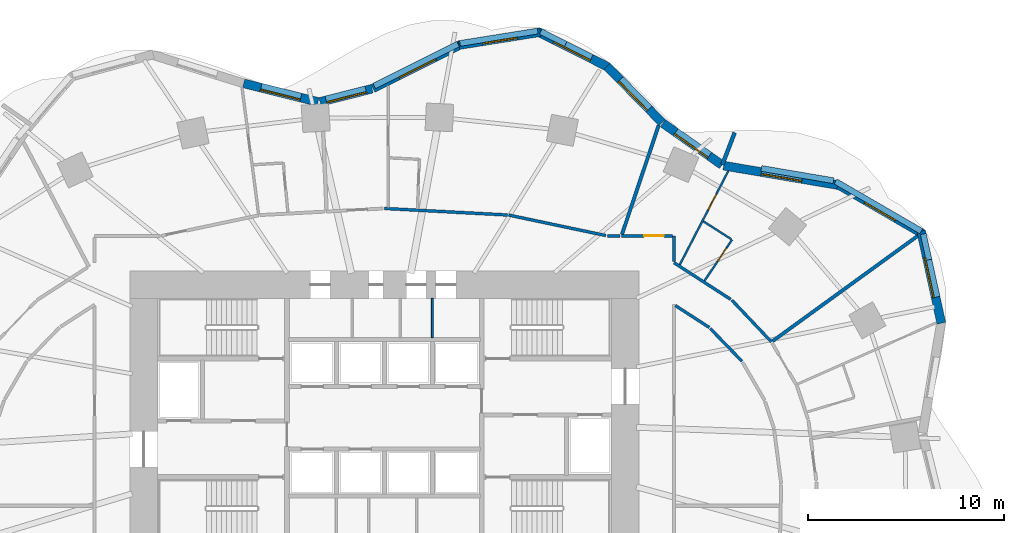
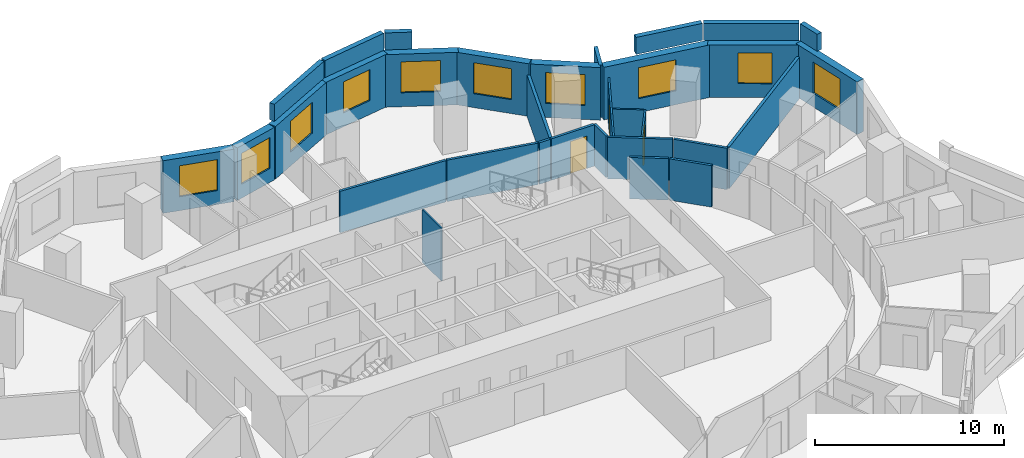
# One storey, part 9 of 11: 32 walls, 10 windows, 3 doors, 13 openings.
"""IFC4 building model written with IfcOpenShell, lengths in metres."""

import ifcopenshell
import ifcopenshell.guid

model = None  # the IFC model being written
_history = None  # IfcOwnerHistory: only IFC2X3 demands one
_inside = {}  # id of a spatial element -> (the spatial element, [elements in it])
_under = {}  # id of a project, library or spatial element -> (it, [spatial elements below it])
_declared = {}  # id of a project -> (the project, [libraries it declares])
_typed = {}  # id of a type object -> (the type object, [elements of that type])
_made_of = {}  # id of a material, layer set ... -> (it, [elements and type objects made of it])


def new_model(schema):
    """Start an empty IFC model of exactly this schema.

    Asked for "IFC4X3", IfcOpenShell would pick the latest addendum, in which some entities
    have other attributes; the version numbers below select the first issue.
    IFC2X3 requires an IfcOwnerHistory on every rooted entity: one is made here for all.
    """
    global model, _history
    if schema == "IFC4X3":
        model = ifcopenshell.file(schema_version=(4, 3, 0, 0))
    else:
        model = ifcopenshell.file(schema=schema)
    _inside.clear()
    _under.clear()
    _declared.clear()
    _typed.clear()
    _made_of.clear()
    _history = None
    if model.schema == "IFC2X3":
        org = make("IfcOrganization", Name="unknown")
        user = make(
            "IfcPersonAndOrganization",
            ThePerson=make("IfcPerson", FamilyName="unknown"),
            TheOrganization=org,
        )
        app = make(
            "IfcApplication",
            ApplicationDeveloper=org,
            Version="unknown",
            ApplicationFullName="unknown",
            ApplicationIdentifier="unknown",
        )
        _history = make(
            "IfcOwnerHistory",
            OwningUser=user,
            OwningApplication=app,
            ChangeAction="ADDED",
            CreationDate=0,
        )
    return model


def make(cls, **values):
    """One entity of the class cls with the attributes given. An attribute that is None is left unset."""
    return model.create_entity(
        cls, **{name: value for name, value in values.items() if value is not None}
    )


def rooted(cls, **values):
    """An entity with a GlobalId (a new one), such as an element, a storey or a relation."""
    return make(cls, GlobalId=ifcopenshell.guid.new(), OwnerHistory=_history, **values)


def si_unit(unit_type, name, prefix=None):
    """IfcSIUnit, for example si_unit("LENGTHUNIT", "METRE", prefix="MILLI")."""
    return make("IfcSIUnit", UnitType=unit_type, Prefix=prefix, Name=name)


def assignment(units):
    """IfcUnitAssignment: the units of a project."""
    return None if units is None else make("IfcUnitAssignment", Units=units)


def point(xyz):
    """IfcCartesianPoint."""
    return None if xyz is None else make("IfcCartesianPoint", Coordinates=xyz)


def direction(xyz):
    """IfcDirection."""
    return None if xyz is None else make("IfcDirection", DirectionRatios=xyz)


def frame(location, z_axis=None, x_axis=None):
    """IfcAxis2Placement3D, a coordinate frame: its origin and axes. An axis left out is left unset."""
    return make(
        "IfcAxis2Placement3D",
        Location=point(location),
        Axis=direction(z_axis),
        RefDirection=direction(x_axis),
    )


def frame_2d(location, x_axis=None):
    """IfcAxis2Placement2D, a coordinate frame in the plane: its origin and x axis."""
    return make(
        "IfcAxis2Placement2D", Location=point(location), RefDirection=direction(x_axis)
    )


def origin():
    """The frame at (0, 0, 0) with its axes left unset."""
    return frame((0.0, 0.0, 0.0))


def place(relative_to, where):
    """IfcLocalPlacement: puts the frame where relative to a parent placement (None: the world)."""
    return make(
        "IfcLocalPlacement", PlacementRelTo=relative_to, RelativePlacement=where
    )


def context(
    kind, dimensions, precision=None, world=None, true_north=None, identifier=None
):
    """IfcGeometricRepresentationContext, for example the 3D "Model" context."""
    return make(
        "IfcGeometricRepresentationContext",
        ContextIdentifier=identifier,
        ContextType=kind,
        CoordinateSpaceDimension=dimensions,
        Precision=precision,
        WorldCoordinateSystem=world,
        TrueNorth=true_north,
    )


def subcontext(parent, identifier, kind, view, scale=None):
    """IfcGeometricRepresentationSubContext, for example "Body" below "Model"."""
    return make(
        "IfcGeometricRepresentationSubContext",
        ContextIdentifier=identifier,
        ContextType=kind,
        ParentContext=parent,
        TargetScale=scale,
        TargetView=view,
    )


def project(units=None, contexts=None):
    """IfcProject with its units and contexts."""
    return rooted(
        "IfcProject",
        Name="project",
        RepresentationContexts=contexts,
        UnitsInContext=assignment(units),
    )


def spatial(cls, under=None, at=None, **own):
    """A site, building, storey or space (cls), placed at a placement, below another one or the project."""
    s = rooted(cls, ObjectPlacement=at, **own)
    if under is not None:
        _under.setdefault(under.id(), (under, []))[1].append(s)
    return s


def profile(cls, at=None, kind="AREA", **sizes):
    """A parametric profile (cls). Its sizes go by their IFC names, for example OverallWidth=200.0."""
    return make(cls, ProfileType=kind, Position=at, **sizes)


def rectangle(**sizes):
    """IfcRectangleProfileDef."""
    return profile("IfcRectangleProfileDef", **sizes)


def extrude(swept, where, along, depth):
    """IfcExtrudedAreaSolid: the profile swept, set in the frame where, extruded along a direction by depth."""
    return make(
        "IfcExtrudedAreaSolid",
        SweptArea=swept,
        Position=where,
        ExtrudedDirection=direction(along),
        Depth=depth,
    )


def shape(context_of_items, identifier, shape_type, items):
    """IfcShapeRepresentation: the items that make up one representation, for example the "Body"."""
    return make(
        "IfcShapeRepresentation",
        ContextOfItems=context_of_items,
        RepresentationIdentifier=identifier,
        RepresentationType=shape_type,
        Items=items,
    )


def material(Name=None, Category=None):
    """IfcMaterial."""
    return make("IfcMaterial", Name=Name, Category=Category)


def layer(
    of_material, thickness, ventilated=None, Name=None, Category=None, Priority=None
):
    """IfcMaterialLayer: one layer of a wall or slab, of a material (None: an air gap)."""
    return make(
        "IfcMaterialLayer",
        Material=of_material,
        LayerThickness=thickness,
        IsVentilated=ventilated,
        Name=Name,
        Category=Category,
        Priority=Priority,
    )


def layer_set(layers, Name=None):
    """IfcMaterialLayerSet."""
    return make("IfcMaterialLayerSet", MaterialLayers=layers, LayerSetName=Name)


def made_of(thing, what):
    """Note that an element or type object is made of a material, layer set ...; save() writes the relation."""
    if what is not None:
        _made_of.setdefault(what.id(), (what, []))[1].append(thing)
    return thing


def type_object(cls, material=None, **own):
    """A type object (cls), such as IfcWallType, which elements share."""
    return made_of(rooted(cls, **own), material)


def element(
    cls,
    number,
    at=None,
    inside=None,
    cuts=None,
    type_object=None,
    material=None,
    context=None,
    identifier="Body",
    shape_type=None,
    held_by="IfcProductDefinitionShape",
    body=None,
    shapes=None,
    **own,
):
    """One element of the class cls, such as IfcWall. Its Tag is "e" and its number.

    at: its placement. inside: the storey or other place that contains it. cuts: it is an
    opening in that element (IfcRelVoidsElement). A single representation is given by context,
    identifier, shape_type and body (its items); several are given by shapes. held_by: the class
    of the entity that holds the representations. save() writes the other relations.
    """
    e = rooted(cls, Tag="e%d" % number, ObjectPlacement=at, **own)
    if body is not None:
        shapes = [shape(context, identifier, shape_type, body)]
    if shapes is not None:
        e.Representation = make(held_by, Representations=shapes)
    if inside is not None:
        _inside.setdefault(inside.id(), (inside, []))[1].append(e)
    if cuts is not None:
        rooted(
            "IfcRelVoidsElement", RelatingBuildingElement=cuts, RelatedOpeningElement=e
        )
    if type_object is not None:
        _typed.setdefault(type_object.id(), (type_object, []))[1].append(e)
    return made_of(e, material)


def fill(opening, filler):
    """IfcRelFillsElement: the door or window that sits in an opening."""
    return rooted(
        "IfcRelFillsElement",
        RelatingOpeningElement=opening,
        RelatedBuildingElement=filler,
    )


def aggregate(whole, parts):
    """IfcRelAggregates: a whole, such as a stair, and the parts it consists of."""
    return rooted("IfcRelAggregates", RelatingObject=whole, RelatedObjects=parts)


def save(model, path):
    """Write the relations noted so far, then the file.

    IfcRelAggregates (storeys below a building ...), IfcRelContainedInSpatialStructure (elements
    in a storey), IfcRelDefinesByType, IfcRelAssociatesMaterial and IfcRelDeclares: one each for
    every whole, place, type object, material and project.
    """
    for whole, parts in _under.values():
        aggregate(whole, parts)
    for where, things in _inside.values():
        rooted(
            "IfcRelContainedInSpatialStructure",
            RelatedElements=things,
            RelatingStructure=where,
        )
    for kind, things in _typed.values():
        rooted("IfcRelDefinesByType", RelatedObjects=things, RelatingType=kind)
    for what, things in _made_of.values():
        rooted("IfcRelAssociatesMaterial", RelatedObjects=things, RelatingMaterial=what)
    for by, libraries in _declared.values():
        rooted("IfcRelDeclares", RelatingContext=by, RelatedDefinitions=libraries)
    model.write(path)


model = new_model("IFC4")

# Units and contexts
model_context = context("Model", 3, precision=1e-05, world=origin(), true_north=direction((0.0, 1.0)))
body_context = subcontext(model_context, "Body", "Model", "MODEL_VIEW")
ifc_project = project(units=[si_unit("LENGTHUNIT", "METRE"), si_unit("AREAUNIT", "SQUARE_METRE"), si_unit("VOLUMEUNIT", "CUBIC_METRE"), si_unit("PLANEANGLEUNIT", "RADIAN"), si_unit("MASSUNIT", "GRAM", prefix="KILO")], contexts=[model_context])

# Site, building, storey
site_placement = place(None, origin())
site = spatial("IfcSite", under=ifc_project, at=site_placement, CompositionType="ELEMENT")
building_placement = place(site_placement, origin())
building = spatial("IfcBuilding", under=site, at=building_placement, Name="Rubra Terraces Tower", CompositionType="ELEMENT")
storey_placement = place(building_placement, frame((0.0, 0.0, 66.300048828125)))
storey = spatial("IfcBuildingStorey", under=building, at=storey_placement, Name="L14", CompositionType="ELEMENT", Elevation=66.300048828125)

# Walls
ifc_material_1 = material(Name="Twin plasterboard on staggered steel stud, acoustic mineral wool", Category="steel")
ifc_layer_1 = layer(ifc_material_1, 0.175048828125)
ifc_layer_set_1 = layer_set([ifc_layer_1], Name="Twin plasterboard on staggered steel stud, acoustic mineral wool")
wall_type_1 = type_object("IfcWallType", Name="ACOUSTIC PARTY WALL 175", PredefinedType="PARTITIONING", material=ifc_layer_set_1)
wall_1_placement = place(storey_placement, frame((27.2451171875, 13.793701171875, 0.0), z_axis=(0.0, 0.0, 1.0), x_axis=(-0.809545443227, -0.58705721642, 0.0)))
element("IfcWall", 1, at=wall_1_placement, inside=storey, type_object=wall_type_1, Name="PARTITION", PredefinedType="PARTITIONING", context=body_context, shape_type="SweptSolid", body=[
    extrude(rectangle(XDim=9.1484375, YDim=0.175048828125, at=frame_2d((4.57421875, 0.0))), origin(), (0.0, 0.0, 1.0), 2.679931640625),
])
wall_2_placement = place(storey_placement, frame((14.014404296875, 19.44677734375, 0.0), z_axis=(0.0, 0.0, 1.0), x_axis=(-0.318853578383, -0.947803985828, 0.0)))
element("IfcWall", 2, at=wall_2_placement, inside=storey, type_object=wall_type_1, Name="PARTITION", PredefinedType="PARTITIONING", context=body_context, shape_type="SweptSolid", body=[
    extrude(rectangle(XDim=5.8828125, YDim=0.175048828125, at=frame_2d((2.94140625, 0.0))), origin(), (0.0, 0.0, 1.0), 2.679931640625),
])

# Wall, opening, window
ifc_material_2 = material(Name="Brick masonry red-brown", Category="masonry")
ifc_layer_2 = layer(ifc_material_2, 0.449951171875)
ifc_layer_set_2 = layer_set([ifc_layer_2], Name="Brick masonry red-brown")
wall_type_2 = type_object("IfcWallType", Name="Brick facade wall 450", PredefinedType="SOLIDWALL", material=ifc_layer_set_2)
wall_3_placement = place(storey_placement, frame((28.45556640625, 9.336669921875, 0.0), z_axis=(0.0, 0.0, 1.0), x_axis=(-0.213878425795, 0.976860286315, 0.0)))
wall_3 = element("IfcWall", 3, at=wall_3_placement, inside=storey, type_object=wall_type_2, Name="Facade wall L14 bay 3", PredefinedType="SOLIDWALL", context=body_context, shape_type="SweptSolid", body=[
    extrude(rectangle(XDim=4.8125, YDim=0.449951171875, at=frame_2d((2.40625, 0.0))), origin(), (0.0, 0.0, 1.0), 3.39990234375),
])
opening_1_placement = place(wall_3_placement, frame((1.356201171875, 0.0, 0.89990234375)))
opening_1 = element("IfcOpeningElement", 4, at=opening_1_placement, cuts=wall_3, Name="Opening W1", PredefinedType="OPENING", context=body_context, shape_type="SweptSolid", body=[
    extrude(rectangle(XDim=2.10009765625, YDim=2.0, at=frame_2d((1.050048828125, 1.0))), frame((0.0, 0.23486328125, 0.0), z_axis=(0.0, -1.0, 0.0), x_axis=(1.0, 0.0, 0.0)), (0.0, 0.0, 1.0), 0.469970703125),
])
ifc_material_3 = material(Name="Clear glass in aluminium frame", Category="aluminium")
window_type_1 = type_object("IfcWindowType", Name="Fixed deep-set window 2100 x 2000", PartitioningType="SINGLE_PANEL", PredefinedType="WINDOW", material=ifc_material_3)
window_1_placement = place(opening_1_placement, origin())
window_1 = element("IfcWindow", 5, at=window_1_placement, inside=storey, type_object=window_type_1, Name="Window L14 bay 3", OverallHeight=2.0, OverallWidth=2.10009765625, PartitioningType="SINGLE_PANEL", PredefinedType="WINDOW", context=body_context, shape_type="SweptSolid", body=[
    extrude(rectangle(XDim=2.10009765625, YDim=2.0, at=frame_2d((1.050048828125, 1.0))), frame((0.0, 0.135009765625, 0.0), z_axis=(0.0, -1.0, 0.0), x_axis=(1.0, 0.0, 0.0)), (0.0, 0.0, 1.0), 0.06005859375),
])
fill(opening_1, window_1)

wall_4_placement = place(storey_placement, frame((27.532958984375, 13.891357421875, 0.0), z_axis=(0.0, 0.0, 1.0), x_axis=(-0.864657614938, 0.502361631625, 0.0)))
wall_4 = element("IfcWall", 6, at=wall_4_placement, inside=storey, type_object=wall_type_2, Name="Facade wall L14 bay 4", PredefinedType="SOLIDWALL", context=body_context, shape_type="SweptSolid", body=[
    extrude(rectangle(XDim=5.000732421875, YDim=0.449951171875, at=frame_2d((2.50048828125, 0.0))), origin(), (0.0, 0.0, 1.0), 3.39990234375),
])
opening_2_placement = place(wall_4_placement, frame((1.600341796875, 0.0, 0.89990234375)))
opening_2 = element("IfcOpeningElement", 7, at=opening_2_placement, cuts=wall_4, Name="Opening W6", PredefinedType="OPENING", context=body_context, shape_type="SweptSolid", body=[
    extrude(rectangle(XDim=1.800048828125, YDim=2.0, at=frame_2d((0.89990234375, 1.0))), frame((0.0, 0.23486328125, 0.0), z_axis=(0.0, -1.0, 0.0), x_axis=(1.0, 0.0, 0.0)), (0.0, 0.0, 1.0), 0.469970703125),
])
window_type_2 = type_object("IfcWindowType", Name="Fixed deep-set window at wind fin 1800 x 2000", PartitioningType="SINGLE_PANEL", PredefinedType="WINDOW", material=ifc_material_3)
window_2_placement = place(opening_2_placement, origin())
window_2 = element("IfcWindow", 8, at=window_2_placement, inside=storey, type_object=window_type_2, Name="Window L14 bay 4", OverallHeight=2.0, OverallWidth=1.800048828125, PartitioningType="SINGLE_PANEL", PredefinedType="WINDOW", context=body_context, shape_type="SweptSolid", body=[
    extrude(rectangle(XDim=1.800048828125, YDim=2.0, at=frame_2d((0.89990234375, 1.0))), frame((0.0, 0.135009765625, 0.0), z_axis=(0.0, -1.0, 0.0), x_axis=(1.0, 0.0, 0.0)), (0.0, 0.0, 1.0), 0.06005859375),
])
fill(opening_2, window_2)

wall_5_placement = place(storey_placement, frame((23.2841796875, 16.376220703125, 0.0), z_axis=(0.0, 0.0, 1.0), x_axis=(-0.985861729428, 0.167560885797, 0.0)))
wall_5 = element("IfcWall", 9, at=wall_5_placement, inside=storey, type_object=wall_type_2, Name="Facade wall L14 bay 5", PredefinedType="SOLIDWALL", context=body_context, shape_type="SweptSolid", body=[
    extrude(rectangle(XDim=6.033447265625, YDim=0.449951171875, at=frame_2d((3.0166015625, 0.0))), origin(), (0.0, 0.0, 1.0), 3.39990234375),
])
opening_3_placement = place(wall_5_placement, frame((1.966796875, 0.0, 0.89990234375)))
opening_3 = element("IfcOpeningElement", 10, at=opening_3_placement, cuts=wall_5, Name="Opening W1", PredefinedType="OPENING", context=body_context, shape_type="SweptSolid", body=[
    extrude(rectangle(XDim=2.10009765625, YDim=2.0, at=frame_2d((1.050048828125, 1.0))), frame((0.0, 0.23486328125, 0.0), z_axis=(0.0, -1.0, 0.0), x_axis=(1.0, 0.0, 0.0)), (0.0, 0.0, 1.0), 0.469970703125),
])
window_3_placement = place(opening_3_placement, origin())
window_3 = element("IfcWindow", 11, at=window_3_placement, inside=storey, type_object=window_type_1, Name="Window L14 bay 5", OverallHeight=2.0, OverallWidth=2.10009765625, PartitioningType="SINGLE_PANEL", PredefinedType="WINDOW", context=body_context, shape_type="SweptSolid", body=[
    extrude(rectangle(XDim=2.10009765625, YDim=2.0, at=frame_2d((1.050048828125, 1.0))), frame((0.0, 0.135009765625, 0.0), z_axis=(0.0, -1.0, 0.0), x_axis=(1.0, 0.0, 0.0)), (0.0, 0.0, 1.0), 0.06005859375),
])
fill(opening_3, window_3)

wall_6_placement = place(storey_placement, frame((17.249267578125, 17.421875, 0.0), z_axis=(0.0, 0.0, 1.0), x_axis=(-0.816589291225, 0.577219134694, 0.0)))
wall_6 = element("IfcWall", 12, at=wall_6_placement, inside=storey, type_object=wall_type_2, Name="Facade wall L14 bay 6", PredefinedType="SOLIDWALL", context=body_context, shape_type="SweptSolid", body=[
    extrude(rectangle(XDim=3.701416015625, YDim=0.449951171875, at=frame_2d((1.8505859375, 0.0))), origin(), (0.0, 0.0, 1.0), 3.39990234375),
])
opening_4_placement = place(wall_6_placement, frame((0.80078125, 0.0, 0.89990234375)))
opening_4 = element("IfcOpeningElement", 13, at=opening_4_placement, cuts=wall_6, Name="Opening W1", PredefinedType="OPENING", context=body_context, shape_type="SweptSolid", body=[
    extrude(rectangle(XDim=2.10009765625, YDim=2.0, at=frame_2d((1.050048828125, 1.0))), frame((0.0, 0.23486328125, 0.0), z_axis=(0.0, -1.0, 0.0), x_axis=(1.0, 0.0, 0.0)), (0.0, 0.0, 1.0), 0.469970703125),
])
window_4_placement = place(opening_4_placement, origin())
window_4 = element("IfcWindow", 14, at=window_4_placement, inside=storey, type_object=window_type_1, Name="Window L14 bay 6", OverallHeight=2.0, OverallWidth=2.10009765625, PartitioningType="SINGLE_PANEL", PredefinedType="WINDOW", context=body_context, shape_type="SweptSolid", body=[
    extrude(rectangle(XDim=2.10009765625, YDim=2.0, at=frame_2d((1.050048828125, 1.0))), frame((0.0, 0.135009765625, 0.0), z_axis=(0.0, -1.0, 0.0), x_axis=(1.0, 0.0, 0.0)), (0.0, 0.0, 1.0), 0.06005859375),
])
fill(opening_4, window_4)

wall_7_placement = place(storey_placement, frame((14.194580078125, 19.584228515625, 0.0), z_axis=(0.0, 0.0, 1.0), x_axis=(-0.69962350521, 0.714511687068, 0.0)))
wall_7 = element("IfcWall", 15, at=wall_7_placement, inside=storey, type_object=wall_type_2, Name="Facade wall L14 bay 7", PredefinedType="SOLIDWALL", context=body_context, shape_type="SweptSolid", body=[
    extrude(rectangle(XDim=4.033935546875, YDim=0.449951171875, at=frame_2d((2.01708984375, 0.0))), origin(), (0.0, 0.0, 1.0), 3.39990234375),
])
opening_5_placement = place(wall_7_placement, frame((0.967041015625, 0.0, 0.89990234375)))
opening_5 = element("IfcOpeningElement", 16, at=opening_5_placement, cuts=wall_7, Name="Opening W1", PredefinedType="OPENING", context=body_context, shape_type="SweptSolid", body=[
    extrude(rectangle(XDim=2.10009765625, YDim=2.0, at=frame_2d((1.050048828125, 1.0))), frame((0.0, 0.23486328125, 0.0), z_axis=(0.0, -1.0, 0.0), x_axis=(1.0, 0.0, 0.0)), (0.0, 0.0, 1.0), 0.469970703125),
])
window_5_placement = place(opening_5_placement, origin())
window_5 = element("IfcWindow", 17, at=window_5_placement, inside=storey, type_object=window_type_1, Name="Window L14 bay 7", OverallHeight=2.0, OverallWidth=2.10009765625, PartitioningType="SINGLE_PANEL", PredefinedType="WINDOW", context=body_context, shape_type="SweptSolid", body=[
    extrude(rectangle(XDim=2.10009765625, YDim=2.0, at=frame_2d((1.050048828125, 1.0))), frame((0.0, 0.135009765625, 0.0), z_axis=(0.0, -1.0, 0.0), x_axis=(1.0, 0.0, 0.0)), (0.0, 0.0, 1.0), 0.06005859375),
])
fill(opening_5, window_5)

wall_8_placement = place(storey_placement, frame((11.427978515625, 22.427001953125, 0.0), z_axis=(0.0, 0.0, 1.0), x_axis=(-0.893343208735, 0.449375023122, 0.0)))
wall_8 = element("IfcWall", 18, at=wall_8_placement, inside=storey, type_object=wall_type_2, Name="Facade wall L14 bay 8", PredefinedType="SOLIDWALL", context=body_context, shape_type="SweptSolid", body=[
    extrude(rectangle(XDim=4.018798828125, YDim=0.449951171875, at=frame_2d((2.00927734375, 0.0))), origin(), (0.0, 0.0, 1.0), 3.39990234375),
])
opening_6_placement = place(wall_8_placement, frame((0.959228515625, 0.0, 0.89990234375)))
opening_6 = element("IfcOpeningElement", 19, at=opening_6_placement, cuts=wall_8, Name="Opening W1", PredefinedType="OPENING", context=body_context, shape_type="SweptSolid", body=[
    extrude(rectangle(XDim=2.10009765625, YDim=2.0, at=frame_2d((1.050048828125, 1.0))), frame((0.0, 0.23486328125, 0.0), z_axis=(0.0, -1.0, 0.0), x_axis=(1.0, 0.0, 0.0)), (0.0, 0.0, 1.0), 0.469970703125),
])
window_6_placement = place(opening_6_placement, origin())
window_6 = element("IfcWindow", 20, at=window_6_placement, inside=storey, type_object=window_type_1, Name="Window L14 bay 8", OverallHeight=2.0, OverallWidth=2.10009765625, PartitioningType="SINGLE_PANEL", PredefinedType="WINDOW", context=body_context, shape_type="SweptSolid", body=[
    extrude(rectangle(XDim=2.10009765625, YDim=2.0, at=frame_2d((1.050048828125, 1.0))), frame((0.0, 0.135009765625, 0.0), z_axis=(0.0, -1.0, 0.0), x_axis=(1.0, 0.0, 0.0)), (0.0, 0.0, 1.0), 0.06005859375),
])
fill(opening_6, window_6)

wall_9_placement = place(storey_placement, frame((7.974609375, 24.2119140625, 0.0), z_axis=(0.0, 0.0, 1.0), x_axis=(-0.987470607744, -0.157803038125, 0.0)))
wall_9 = element("IfcWall", 21, at=wall_9_placement, inside=storey, type_object=wall_type_2, Name="Facade wall L14 bay 9", PredefinedType="SOLIDWALL", context=body_context, shape_type="SweptSolid", body=[
    extrude(rectangle(XDim=4.2158203125, YDim=0.449951171875, at=frame_2d((2.10791015625, 0.0))), origin(), (0.0, 0.0, 1.0), 3.39990234375),
])
opening_7_placement = place(wall_9_placement, frame((1.2080078125, 0.0, 0.89990234375)))
opening_7 = element("IfcOpeningElement", 22, at=opening_7_placement, cuts=wall_9, Name="Opening W6", PredefinedType="OPENING", context=body_context, shape_type="SweptSolid", body=[
    extrude(rectangle(XDim=1.800048828125, YDim=2.0, at=frame_2d((0.89990234375, 1.0))), frame((0.0, 0.23486328125, 0.0), z_axis=(0.0, -1.0, 0.0), x_axis=(1.0, 0.0, 0.0)), (0.0, 0.0, 1.0), 0.469970703125),
])
window_7_placement = place(opening_7_placement, origin())
window_7 = element("IfcWindow", 23, at=window_7_placement, inside=storey, type_object=window_type_2, Name="Window L14 bay 9", OverallHeight=2.0, OverallWidth=1.800048828125, PartitioningType="SINGLE_PANEL", PredefinedType="WINDOW", context=body_context, shape_type="SweptSolid", body=[
    extrude(rectangle(XDim=1.800048828125, YDim=2.0, at=frame_2d((0.89990234375, 1.0))), frame((0.0, 0.135009765625, 0.0), z_axis=(0.0, -1.0, 0.0), x_axis=(1.0, 0.0, 0.0)), (0.0, 0.0, 1.0), 0.06005859375),
])
fill(opening_7, window_7)

wall_10_placement = place(storey_placement, frame((3.876708984375, 23.567626953125, 0.0), z_axis=(0.0, 0.0, 1.0), x_axis=(-0.894241088759, -0.447585606532, 0.0)))
wall_10 = element("IfcWall", 24, at=wall_10_placement, inside=storey, type_object=wall_type_2, Name="Facade wall L14 bay 10", PredefinedType="SOLIDWALL", context=body_context, shape_type="SweptSolid", body=[
    extrude(rectangle(XDim=4.987060546875, YDim=0.449951171875, at=frame_2d((2.49365234375, 0.0))), origin(), (0.0, 0.0, 1.0), 3.39990234375),
])
opening_8_placement = place(wall_10_placement, frame((1.443603515625, 0.0, 0.89990234375)))
opening_8 = element("IfcOpeningElement", 25, at=opening_8_placement, cuts=wall_10, Name="Opening W1", PredefinedType="OPENING", context=body_context, shape_type="SweptSolid", body=[
    extrude(rectangle(XDim=2.10009765625, YDim=2.0, at=frame_2d((1.050048828125, 1.0))), frame((0.0, 0.23486328125, 0.0), z_axis=(0.0, -1.0, 0.0), x_axis=(1.0, 0.0, 0.0)), (0.0, 0.0, 1.0), 0.469970703125),
])
window_8_placement = place(opening_8_placement, origin())
window_8 = element("IfcWindow", 26, at=window_8_placement, inside=storey, type_object=window_type_1, Name="Window L14 bay 10", OverallHeight=2.0, OverallWidth=2.10009765625, PartitioningType="SINGLE_PANEL", PredefinedType="WINDOW", context=body_context, shape_type="SweptSolid", body=[
    extrude(rectangle(XDim=2.10009765625, YDim=2.0, at=frame_2d((1.050048828125, 1.0))), frame((0.0, 0.135009765625, 0.0), z_axis=(0.0, -1.0, 0.0), x_axis=(1.0, 0.0, 0.0)), (0.0, 0.0, 1.0), 0.06005859375),
])
fill(opening_8, window_8)

wall_11_placement = place(storey_placement, frame((-0.62841796875, 21.318603515625, 0.0), z_axis=(0.0, 0.0, 1.0), x_axis=(-0.969240543873, -0.246115355295, 0.0)))
wall_11 = element("IfcWall", 27, at=wall_11_placement, inside=storey, type_object=wall_type_2, Name="Facade wall L14 bay 11", PredefinedType="SOLIDWALL", context=body_context, shape_type="SweptSolid", body=[
    extrude(rectangle(XDim=2.742919921875, YDim=0.449951171875, at=frame_2d((1.37158203125, 0.0))), origin(), (0.0, 0.0, 1.0), 3.39990234375),
])
opening_9_placement = place(wall_11_placement, frame((0.3212890625, 0.0, 0.89990234375)))
opening_9 = element("IfcOpeningElement", 28, at=opening_9_placement, cuts=wall_11, Name="Opening W1", PredefinedType="OPENING", context=body_context, shape_type="SweptSolid", body=[
    extrude(rectangle(XDim=2.10009765625, YDim=2.0, at=frame_2d((1.050048828125, 1.0))), frame((0.0, 0.23486328125, 0.0), z_axis=(0.0, -1.0, 0.0), x_axis=(1.0, 0.0, 0.0)), (0.0, 0.0, 1.0), 0.469970703125),
])
window_9_placement = place(opening_9_placement, origin())
window_9 = element("IfcWindow", 29, at=window_9_placement, inside=storey, type_object=window_type_1, Name="Window L14 bay 11", OverallHeight=2.0, OverallWidth=2.10009765625, PartitioningType="SINGLE_PANEL", PredefinedType="WINDOW", context=body_context, shape_type="SweptSolid", body=[
    extrude(rectangle(XDim=2.10009765625, YDim=2.0, at=frame_2d((1.050048828125, 1.0))), frame((0.0, 0.135009765625, 0.0), z_axis=(0.0, -1.0, 0.0), x_axis=(1.0, 0.0, 0.0)), (0.0, 0.0, 1.0), 0.06005859375),
])
fill(opening_9, window_9)

wall_12_placement = place(storey_placement, frame((-3.39208984375, 20.64208984375, 0.0), z_axis=(0.0, 0.0, 1.0), x_axis=(-0.970168229467, 0.242432684539, 0.0)))
wall_12 = element("IfcWall", 30, at=wall_12_placement, inside=storey, type_object=wall_type_2, Name="Facade wall L14 bay 12", PredefinedType="SOLIDWALL", context=body_context, shape_type="SweptSolid", body=[
    extrude(rectangle(XDim=3.90625, YDim=0.449951171875, at=frame_2d((1.953125, 0.0))), origin(), (0.0, 0.0, 1.0), 3.39990234375),
])
opening_10_placement = place(wall_12_placement, frame((0.9033203125, 0.0, 0.89990234375)))
opening_10 = element("IfcOpeningElement", 31, at=opening_10_placement, cuts=wall_12, Name="Opening W1", PredefinedType="OPENING", context=body_context, shape_type="SweptSolid", body=[
    extrude(rectangle(XDim=2.10009765625, YDim=2.0, at=frame_2d((1.050048828125, 1.0))), frame((0.0, 0.23486328125, 0.0), z_axis=(0.0, -1.0, 0.0), x_axis=(1.0, 0.0, 0.0)), (0.0, 0.0, 1.0), 0.469970703125),
])
window_10_placement = place(opening_10_placement, origin())
window_10 = element("IfcWindow", 32, at=window_10_placement, inside=storey, type_object=window_type_1, Name="Window L14 bay 12", OverallHeight=2.0, OverallWidth=2.10009765625, PartitioningType="SINGLE_PANEL", PredefinedType="WINDOW", context=body_context, shape_type="SweptSolid", body=[
    extrude(rectangle(XDim=2.10009765625, YDim=2.0, at=frame_2d((1.050048828125, 1.0))), frame((0.0, 0.135009765625, 0.0), z_axis=(0.0, -1.0, 0.0), x_axis=(1.0, 0.0, 0.0)), (0.0, 0.0, 1.0), 0.06005859375),
])
fill(opening_10, window_10)

# Walls
ifc_layer_3 = layer(ifc_material_2, 0.300048828125)
ifc_layer_set_3 = layer_set([ifc_layer_3], Name="Brick masonry red-brown")
wall_type_3 = type_object("IfcWallType", Name="Brick parapet 300", PredefinedType="PARAPET", material=ifc_layer_set_3)
wall_13_placement = place(storey_placement, frame((27.82275390625, 12.577392578125, 3.599853515625), z_axis=(0.0, 0.0, 1.0), x_axis=(-0.213826357694, 0.976871684898, 0.0)))
element("IfcWall", 33, at=wall_13_placement, inside=storey, type_object=wall_type_3, Name="Parapet L14 bay 3", PredefinedType="PARAPET", context=body_context, shape_type="SweptSolid", body=[
    extrude(rectangle(XDim=1.349609375, YDim=0.300048828125, at=frame_2d((0.6748046875, 0.0))), origin(), (0.0, 0.0, 1.0), 1.10009765625),
])
wall_14_placement = place(storey_placement, frame((27.4306640625, 14.03759765625, 3.599853515625), z_axis=(0.0, 0.0, 1.0), x_axis=(-0.864664590165, 0.502349625773, 0.0)))
element("IfcWall", 34, at=wall_14_placement, inside=storey, type_object=wall_type_3, Name="Parapet L14 bay 4", PredefinedType="PARAPET", context=body_context, shape_type="SweptSolid", body=[
    extrude(rectangle(XDim=5.061279296875, YDim=0.300048828125, at=frame_2d((2.53076171875, 0.0))), origin(), (0.0, 0.0, 1.0), 1.10009765625),
])
wall_15_placement = place(storey_placement, frame((22.94873046875, 16.6181640625, 3.599853515625), z_axis=(0.0, 0.0, 1.0), x_axis=(-0.985859727788, 0.167572662229, 0.0)))
element("IfcWall", 35, at=wall_15_placement, inside=storey, type_object=wall_type_3, Name="Parapet L14 bay 5", PredefinedType="PARAPET", context=body_context, shape_type="SweptSolid", body=[
    extrude(rectangle(XDim=3.741455078125, YDim=0.300048828125, at=frame_2d((1.87060546875, 0.0))), origin(), (0.0, 0.0, 1.0), 1.10009765625),
])
wall_16_placement = place(storey_placement, frame((9.26708984375, 23.597900390625, 3.599853515625), z_axis=(0.0, 0.0, 1.0), x_axis=(-0.893335936782, 0.449389479242, 0.0)))
element("IfcWall", 36, at=wall_16_placement, inside=storey, type_object=wall_type_3, Name="Parapet L14 bay 8", PredefinedType="PARAPET", context=body_context, shape_type="SweptSolid", body=[
    extrude(rectangle(XDim=1.435302734375, YDim=0.300048828125, at=frame_2d((0.7177734375, 0.0))), origin(), (0.0, 0.0, 1.0), 1.10009765625),
])
wall_17_placement = place(storey_placement, frame((7.83740234375, 24.265869140625, 3.599853515625), z_axis=(0.0, 0.0, 1.0), x_axis=(-0.987476564543, -0.157765758254, 0.0)))
element("IfcWall", 37, at=wall_17_placement, inside=storey, type_object=wall_type_3, Name="Parapet L14 bay 9", PredefinedType="PARAPET", context=body_context, shape_type="SweptSolid", body=[
    extrude(rectangle(XDim=4.02490234375, YDim=0.300048828125, at=frame_2d((2.012451171875, 0.0))), origin(), (0.0, 0.0, 1.0), 1.10009765625),
])
wall_18_placement = place(storey_placement, frame((3.762939453125, 23.5986328125, 3.599853515625), z_axis=(0.0, 0.0, 1.0), x_axis=(-0.894243576514, -0.447580636158, 0.0)))
element("IfcWall", 38, at=wall_18_placement, inside=storey, type_object=wall_type_3, Name="Parapet L14 bay 10", PredefinedType="PARAPET", context=body_context, shape_type="SweptSolid", body=[
    extrude(rectangle(XDim=4.78857421875, YDim=0.300048828125, at=frame_2d((2.394287109375, 0.0))), origin(), (0.0, 0.0, 1.0), 1.10009765625),
])
ifc_layer_4 = layer(ifc_material_2, 0.199951171875)
ifc_layer_set_4 = layer_set([ifc_layer_4], Name="Brick masonry red-brown")
wall_type_4 = type_object("IfcWallType", Name="Brick wind fin 200", PredefinedType="SOLIDWALL", material=ifc_layer_set_4)
wall_19_placement = place(storey_placement, frame((17.26904296875, 17.43994140625, 0.0), z_axis=(0.0, 0.0, 1.0), x_axis=(0.359381039836, 0.933190906624, 0.0)))
element("IfcWall", 39, at=wall_19_placement, inside=storey, type_object=wall_type_4, Name="Wind fin L14 4", PredefinedType="SOLIDWALL", context=body_context, shape_type="SweptSolid", body=[
    extrude(rectangle(XDim=1.75, YDim=0.199951171875, at=frame_2d((0.875, 0.0))), origin(), (0.0, 0.0, 1.0), 3.39990234375),
])
ifc_material_4 = material(Name="Plasterboard on steel stud, mineral wool infill", Category="steel")
ifc_layer_5 = layer(ifc_material_4, 0.14990234375)
ifc_layer_set_5 = layer_set([ifc_layer_5], Name="Plasterboard on steel stud, mineral wool infill")
wall_type_5 = type_object("IfcWallType", Name="CORRIDOR PARTITION 150", PredefinedType="PARTITIONING", material=ifc_layer_set_5)
wall_20_placement = place(storey_placement, frame((19.7783203125, 8.37890625, 0.0), z_axis=(0.0, 0.0, 1.0), x_axis=(-0.687769957484, 0.725928705578, 0.0)))
element("IfcWall", 40, at=wall_20_placement, inside=storey, type_object=wall_type_5, Name="PARTITION", PredefinedType="PARTITIONING", context=body_context, shape_type="SweptSolid", body=[
    extrude(rectangle(XDim=2.943115234375, YDim=0.14990234375, at=frame_2d((1.4716796875, 0.0))), origin(), (0.0, 0.0, 1.0), 2.679931640625),
])
wall_21_placement = place(storey_placement, frame((17.691162109375, 10.55615234375, 0.0), z_axis=(0.0, 0.0, 1.0), x_axis=(-0.839564450265, 0.54326009779, 0.0)))
element("IfcWall", 41, at=wall_21_placement, inside=storey, type_object=wall_type_5, Name="PARTITION", PredefinedType="PARTITIONING", context=body_context, shape_type="SweptSolid", body=[
    extrude(rectangle(XDim=3.443359375, YDim=0.14990234375, at=frame_2d((1.7216796875, 0.0))), origin(), (0.0, 0.0, 1.0), 2.679931640625),
])
wall_22_placement = place(storey_placement, frame((14.80029296875, 12.501708984375, 0.0), z_axis=(0.0, 0.0, 1.0), x_axis=(-0.000188040613, 0.99999998232, 0.0)))
element("IfcWall", 42, at=wall_22_placement, inside=storey, type_object=wall_type_5, Name="PARTITION", PredefinedType="PARTITIONING", context=body_context, shape_type="SweptSolid", body=[
    extrude(rectangle(XDim=1.29833984375, YDim=0.14990234375, at=frame_2d((0.649169921875, 0.0))), origin(), (0.0, 0.0, 1.0), 2.679931640625),
])

# Wall, opening, door
wall_23_placement = place(storey_placement, frame((14.72509765625, 13.800048828125, 0.0), z_axis=(0.0, 0.0, 1.0), x_axis=(-1.0, 0.0, 0.0)))
wall_23 = element("IfcWall", 43, at=wall_23_placement, inside=storey, type_object=wall_type_5, Name="PARTITION", PredefinedType="PARTITIONING", context=body_context, shape_type="SweptSolid", body=[
    extrude(rectangle(XDim=2.6103515625, YDim=0.14990234375, at=frame_2d((1.30517578125, 0.0))), origin(), (0.0, 0.0, 1.0), 2.679931640625),
])
opening_11_placement = place(wall_23_placement, frame((0.449951171875, 0.0, 0.0)))
opening_11 = element("IfcOpeningElement", 44, at=opening_11_placement, cuts=wall_23, Name="Opening 14-103", PredefinedType="OPENING", context=body_context, shape_type="SweptSolid", body=[
    extrude(rectangle(XDim=1.0, YDim=2.10009765625, at=frame_2d((0.5, 1.050048828125))), frame((0.0, 0.0849609375, 0.0), z_axis=(0.0, -1.0, 0.0), x_axis=(1.0, 0.0, 0.0)), (0.0, 0.0, 1.0), 0.169921875),
])
ifc_material_5 = material(Name="Painted timber door leaf", Category="wood")
door_type_1 = type_object("IfcDoorType", Name="ROOM DOOR 1000 X 2100", OperationType="SINGLE_SWING_LEFT", PredefinedType="DOOR", material=ifc_material_5)
door_1_placement = place(opening_11_placement, origin())
door_1 = element("IfcDoor", 45, at=door_1_placement, inside=storey, type_object=door_type_1, Name="DOOR 14-103", OperationType="SINGLE_SWING_RIGHT", OverallHeight=2.10009765625, OverallWidth=1.0, PredefinedType="DOOR", context=body_context, shape_type="SweptSolid", body=[
    extrude(rectangle(XDim=1.0, YDim=2.10009765625, at=frame_2d((0.5, 1.050048828125))), frame((0.0, 0.02490234375, 0.0), z_axis=(0.0, -1.0, 0.0), x_axis=(1.0, 0.0, 0.0)), (0.0, 0.0, 1.0), 0.050048828125),
])
fill(opening_11, door_1)

# Walls
wall_24_placement = place(storey_placement, frame((12.039794921875, 13.800048828125, 0.0), z_axis=(0.0, 0.0, 1.0), x_axis=(-1.0, 0.0, 0.0)))
element("IfcWall", 46, at=wall_24_placement, inside=storey, type_object=wall_type_5, Name="PARTITION", PredefinedType="PARTITIONING", context=body_context, shape_type="SweptSolid", body=[
    extrude(rectangle(XDim=0.650390625, YDim=0.14990234375, at=frame_2d((0.3251953125, 0.0))), origin(), (0.0, 0.0, 1.0), 2.679931640625),
])
wall_25_placement = place(storey_placement, frame((11.31591796875, 13.8154296875, 0.0), z_axis=(0.0, 0.0, 1.0), x_axis=(-0.978460774853, 0.206432827025, 0.0)))
element("IfcWall", 47, at=wall_25_placement, inside=storey, type_object=wall_type_5, Name="PARTITION", PredefinedType="PARTITIONING", context=body_context, shape_type="SweptSolid", body=[
    extrude(rectangle(XDim=5.06884765625, YDim=0.14990234375, at=frame_2d((2.534423828125, 0.0))), origin(), (0.0, 0.0, 1.0), 2.679931640625),
])
wall_26_placement = place(storey_placement, frame((6.281494140625, 14.86572265625, 0.0), z_axis=(0.0, 0.0, 1.0), x_axis=(-0.998587429539, 0.053133281163, 0.0)))
element("IfcWall", 48, at=wall_26_placement, inside=storey, type_object=wall_type_5, Name="PARTITION", PredefinedType="PARTITIONING", context=body_context, shape_type="SweptSolid", body=[
    extrude(rectangle(XDim=6.290283203125, YDim=0.14990234375, at=frame_2d((3.14501953125, 0.0))), origin(), (0.0, 0.0, 1.0), 2.679931640625),
])
wall_27_placement = place(storey_placement, frame((14.863037109375, 10.242431640625, 0.0), z_axis=(0.0, 0.0, 1.0), x_axis=(0.839563837869, -0.543261044198, 0.0)))
element("IfcWall", 49, at=wall_27_placement, inside=storey, type_object=wall_type_5, Name="PARTITION", PredefinedType="PARTITIONING", context=body_context, shape_type="SweptSolid", body=[
    extrude(rectangle(XDim=2.072998046875, YDim=0.14990234375, at=frame_2d((1.03662109375, 0.0))), origin(), (0.0, 0.0, 1.0), 2.679931640625),
])
wall_28_placement = place(storey_placement, frame((16.655517578125, 9.062255859375, 0.0), z_axis=(0.0, 0.0, 1.0), x_axis=(0.695225115827, -0.718792068906, 0.0)))
element("IfcWall", 50, at=wall_28_placement, inside=storey, type_object=wall_type_5, Name="PARTITION", PredefinedType="PARTITIONING", context=body_context, shape_type="SweptSolid", body=[
    extrude(rectangle(XDim=2.320556640625, YDim=0.14990234375, at=frame_2d((1.16015625, 0.0))), origin(), (0.0, 0.0, 1.0), 2.679931640625),
])

# Wall, opening, door
ifc_material_6 = material(Name="Plasterboard on steel stud", Category="steel")
ifc_layer_6 = layer(ifc_material_6, 0.10009765625)
ifc_layer_set_6 = layer_set([ifc_layer_6], Name="Plasterboard on steel stud")
wall_type_6 = type_object("IfcWallType", Name="ROOM PARTITION 100", PredefinedType="PARTITIONING", material=ifc_layer_set_6)
wall_29_placement = place(storey_placement, frame((17.57470703125, 17.118408203125, 0.0), z_axis=(0.0, 0.0, 1.0), x_axis=(-0.459763790059, -0.88804124755, 0.0)))
wall_29 = element("IfcWall", 51, at=wall_29_placement, inside=storey, type_object=wall_type_6, Name="PARTITION", PredefinedType="PARTITIONING", context=body_context, shape_type="SweptSolid", body=[
    extrude(rectangle(XDim=5.396728515625, YDim=0.10009765625, at=frame_2d((2.6982421875, 0.0))), origin(), (0.0, 0.0, 1.0), 2.679931640625),
])
opening_12_placement = place(wall_29_placement, frame((1.322021484375, 0.0, 0.0)))
opening_12 = element("IfcOpeningElement", 52, at=opening_12_placement, cuts=wall_29, Name="Opening 14-102", PredefinedType="OPENING", context=body_context, shape_type="SweptSolid", body=[
    extrude(rectangle(XDim=0.89990234375, YDim=2.39990234375, at=frame_2d((0.449951171875, 1.199951171875))), frame((0.0, 0.06005859375, 0.0), z_axis=(0.0, -1.0, 0.0), x_axis=(1.0, 0.0, 0.0)), (0.0, 0.0, 1.0), 0.1201171875),
])
ifc_material_7 = material(Name="Veneered timber door leaf, fire-rated", Category="wood")
door_type_2 = type_object("IfcDoorType", Name="SUITE ENTRANCE DOOR 900 X 2400", OperationType="SINGLE_SWING_LEFT", PredefinedType="DOOR", material=ifc_material_7)
door_2_placement = place(opening_12_placement, origin())
door_2 = element("IfcDoor", 53, at=door_2_placement, inside=storey, type_object=door_type_2, Name="DOOR 14-102", OperationType="SINGLE_SWING_LEFT", OverallHeight=2.39990234375, OverallWidth=0.89990234375, PredefinedType="DOOR", context=body_context, shape_type="SweptSolid", body=[
    extrude(rectangle(XDim=0.89990234375, YDim=2.39990234375, at=frame_2d((0.449951171875, 1.199951171875))), frame((0.0, 0.02490234375, 0.0), z_axis=(0.0, -1.0, 0.0), x_axis=(1.0, 0.0, 0.0)), (0.0, 0.0, 1.0), 0.050048828125),
])
fill(opening_12, door_2)

wall_30_placement = place(storey_placement, frame((16.360107421875, 11.5068359375, 0.0), z_axis=(0.0, 0.0, 1.0), x_axis=(0.555949061639, 0.831216362245, 0.0)))
wall_30 = element("IfcWall", 54, at=wall_30_placement, inside=storey, type_object=wall_type_6, Name="PARTITION", PredefinedType="PARTITIONING", context=body_context, shape_type="SweptSolid", body=[
    extrude(rectangle(XDim=2.525146484375, YDim=0.10009765625, at=frame_2d((1.2626953125, 0.0))), origin(), (0.0, 0.0, 1.0), 2.679931640625),
])
opening_13_placement = place(wall_30_placement, frame((1.199951171875, 0.0, 0.0)))
opening_13 = element("IfcOpeningElement", 55, at=opening_13_placement, cuts=wall_30, Name="Opening 14-101", PredefinedType="OPENING", context=body_context, shape_type="SweptSolid", body=[
    extrude(rectangle(XDim=0.800048828125, YDim=2.10009765625, at=frame_2d((0.39990234375, 1.050048828125))), frame((0.0, 0.06005859375, 0.0), z_axis=(0.0, -1.0, 0.0), x_axis=(1.0, 0.0, 0.0)), (0.0, 0.0, 1.0), 0.1201171875),
])
door_type_3 = type_object("IfcDoorType", Name="BATHROOM DOOR 800 X 2100", OperationType="SINGLE_SWING_LEFT", PredefinedType="DOOR", material=ifc_material_5)
door_3_placement = place(opening_13_placement, origin())
door_3 = element("IfcDoor", 56, at=door_3_placement, inside=storey, type_object=door_type_3, Name="DOOR 14-101", OperationType="SINGLE_SWING_LEFT", OverallHeight=2.10009765625, OverallWidth=0.800048828125, PredefinedType="DOOR", context=body_context, shape_type="SweptSolid", body=[
    extrude(rectangle(XDim=0.800048828125, YDim=2.10009765625, at=frame_2d((0.39990234375, 1.050048828125))), frame((0.0, 0.02490234375, 0.0), z_axis=(0.0, -1.0, 0.0), x_axis=(1.0, 0.0, 0.0)), (0.0, 0.0, 1.0), 0.050048828125),
])
fill(opening_13, door_3)

# Walls
wall_31_placement = place(storey_placement, frame((17.7216796875, 13.632568359375, 0.0), z_axis=(0.0, 0.0, 1.0), x_axis=(-0.84310195877, 0.537753742077, 0.0)))
element("IfcWall", 57, at=wall_31_placement, inside=storey, type_object=wall_type_6, Name="PARTITION", PredefinedType="PARTITIONING", context=body_context, shape_type="SweptSolid", body=[
    extrude(rectangle(XDim=1.690185546875, YDim=0.10009765625, at=frame_2d((0.84521484375, 0.0))), origin(), (0.0, 0.0, 1.0), 2.679931640625),
])
ifc_material_8 = material(Name="Blockwork", Category="masonry")
ifc_layer_7 = layer(ifc_material_8, 0.10009765625)
ifc_layer_set_7 = layer_set([ifc_layer_7], Name="Blockwork")
wall_type_7 = type_object("IfcWallType", Name="Service partition 100 blockwork", PredefinedType="PARTITIONING", material=ifc_layer_set_7)
wall_32_placement = place(storey_placement, frame((2.449951171875, 8.60009765625, 0.0), z_axis=(0.0, 0.0, 1.0), x_axis=(0.0, 1.0, 0.0)))
element("IfcWall", 58, at=wall_32_placement, inside=storey, type_object=wall_type_7, Name="SERVICE ROOM PARTITION L14", PredefinedType="PARTITIONING", context=body_context, shape_type="SweptSolid", body=[
    extrude(rectangle(XDim=2.0, YDim=0.10009765625, at=frame_2d((1.0, 0.0))), origin(), (0.0, 0.0, 1.0), 3.39990234375),
])

save(model, "model.ifc")
